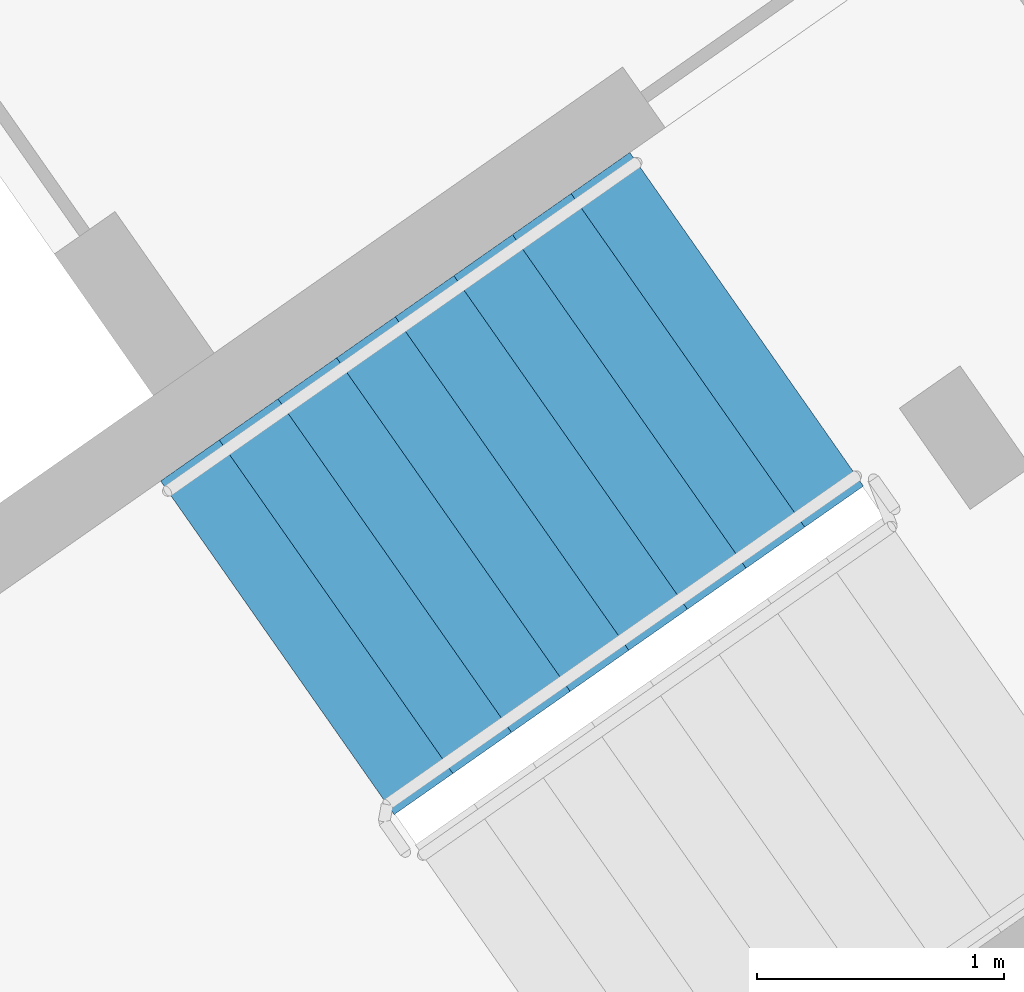
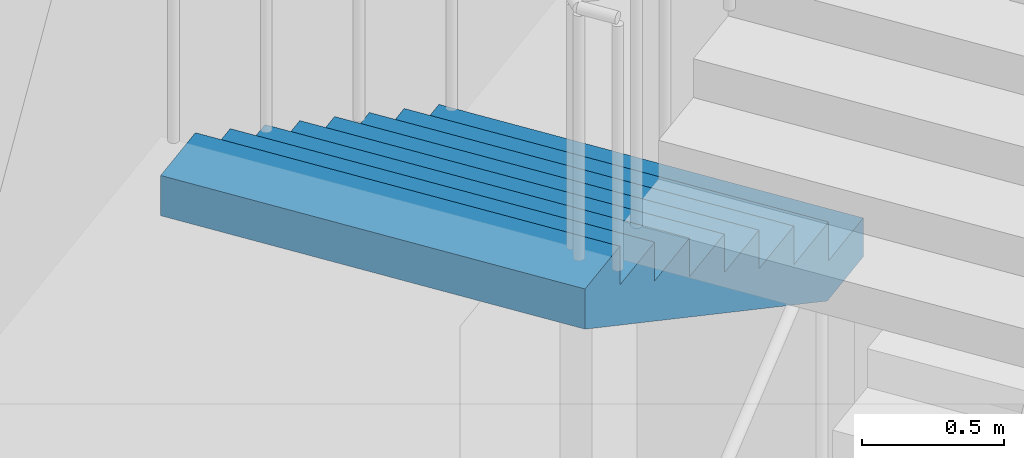
# One storey, part 15 of 41: 1 stair flight, 1 element without a shape of its own.
"""IFC4 building model written with IfcOpenShell, lengths in metres."""

from ifc_helpers import new_model, si_unit, direction, frame, origin, place, context, subcontext, project, spatial, faceted_brep, material, type_object, element, aggregate, save


model = new_model("IFC4")

# Units and contexts
model_context = context("Model", 3, precision=1e-05, world=origin(), true_north=direction((0.0, 1.0)))
body_context = subcontext(model_context, "Body", "Model", "MODEL_VIEW")
ifc_project = project(units=[si_unit("LENGTHUNIT", "METRE"), si_unit("AREAUNIT", "SQUARE_METRE"), si_unit("VOLUMEUNIT", "CUBIC_METRE"), si_unit("PLANEANGLEUNIT", "RADIAN"), si_unit("MASSUNIT", "GRAM", prefix="KILO")], contexts=[model_context])

# Site, building, storey
site_placement = place(None, origin())
site = spatial("IfcSite", under=ifc_project, at=site_placement, CompositionType="ELEMENT")
building_placement = place(site_placement, origin())
building = spatial("IfcBuilding", under=site, at=building_placement, Name="Qamariyya Broadcast Tower", CompositionType="ELEMENT")
storey_placement = place(building_placement, frame((0.0, 0.0, 284.699951171875)))
storey = spatial("IfcBuildingStorey", under=building, at=storey_placement, Name="L69", CompositionType="ELEMENT", Elevation=284.699951171875)

# Stair, stair flight
ifc_material = material(Name="Concrete C50/60", Category="concrete")
stair_type = type_object("IfcStairType", Name="Exit stair 36 risers of 167 mm", PredefinedType="HALF_TURN_STAIR", material=ifc_material)
stair_placement = place(storey_placement, origin())
stair = element("IfcStair", 1, at=stair_placement, inside=storey, type_object=stair_type, Name="L69 Stair E1", PredefinedType="HALF_TURN_STAIR")
stair_flight_type = type_object("IfcStairFlightType", Name="Exit stair flight 9 risers of 167 mm", PredefinedType="STRAIGHT", material=ifc_material)
stair_flight_placement = place(storey_placement, frame((46.036376953125, -55.508056640625, 3.0), z_axis=(0.0, 0.0, 1.0), x_axis=(-0.819152044289, -0.573576436351, 0.0)))
stair_flight = element("IfcStairFlight", 2, at=stair_flight_placement, type_object=stair_flight_type, Name="ST-E1 flight 3", NumberOfRisers=9, NumberOfTreads=8, PredefinedType="STRAIGHT", RiserHeight=0.166666667, TreadLength=0.29, context=body_context, shape_type="Brep", body=[
    faceted_brep([(0.0, 0.824951171875, 0.0), (0.0, 0.824951171875, 0.166748046875), (0.2900390625, 0.824951171875, 0.166748046875), (0.2900390625, 0.824951171875, 0.333251953125), (0.580078125, 0.824951171875, 0.333251953125), (0.580078125, 0.824951171875, 0.5), (0.8701171875, 0.824951171875, 0.5), (0.8701171875, 0.824951171875, 0.666748046875), (1.159912109375, 0.824951171875, 0.666748046875), (1.159912109375, 0.824951171875, 0.833251953125), (1.449951171875, 0.824951171875, 0.833251953125), (1.449951171875, 0.824951171875, 1.0), (1.739990234375, 0.824951171875, 1.0), (1.739990234375, 0.824951171875, 1.166748046875), (2.030029296875, 0.824951171875, 1.166748046875), (2.030029296875, 0.824951171875, 1.333251953125), (2.320068359375, 0.824951171875, 1.333251953125), (2.320068359375, 0.824951171875, 1.160400390625), (0.30078125, 0.824951171875, 0.0), (0.30078125, -0.824951171875, 0.0), (2.320068359375, -0.824951171875, 1.160400390625), (2.320068359375, -0.824951171875, 1.333251953125), (2.030029296875, -0.824951171875, 1.333251953125), (2.030029296875, -0.824951171875, 1.166748046875), (1.739990234375, -0.824951171875, 1.166748046875), (1.739990234375, -0.824951171875, 1.0), (1.449951171875, -0.824951171875, 1.0), (1.449951171875, -0.824951171875, 0.833251953125), (1.159912109375, -0.824951171875, 0.833251953125), (1.159912109375, -0.824951171875, 0.666748046875), (0.8701171875, -0.824951171875, 0.666748046875), (0.8701171875, -0.824951171875, 0.5), (0.580078125, -0.824951171875, 0.5), (0.580078125, -0.824951171875, 0.333251953125), (0.2900390625, -0.824951171875, 0.333251953125), (0.2900390625, -0.824951171875, 0.166748046875), (0.0, -0.824951171875, 0.166748046875), (0.0, -0.824951171875, 0.0), (0.0, 0.10009765625, 0.0), (0.0, 0.086669921875, 0.0), (0.0, 0.0732421875, 0.0), (0.0, 0.06005859375, 0.0), (0.0, 0.046630859375, 0.0), (0.0, 0.033447265625, 0.0), (0.0, 0.02001953125, 0.0), (0.0, 0.006591796875, 0.0), (0.0, -0.006591796875, 0.0), (0.0, -0.02001953125, 0.0), (0.0, -0.033447265625, 0.0), (0.0, -0.046630859375, 0.0), (0.0, -0.06005859375, 0.0), (0.0, -0.0732421875, 0.0), (0.0, -0.086669921875, 0.0), (0.0, -0.10009765625, 0.0), (0.0, -0.10009765625, 0.166748046875), (0.0, -0.086669921875, 0.166748046875), (0.0, -0.0732421875, 0.166748046875), (0.0, -0.06005859375, 0.166748046875), (0.0, -0.046630859375, 0.166748046875), (0.0, -0.033447265625, 0.166748046875), (0.0, -0.02001953125, 0.166748046875), (0.0, -0.006591796875, 0.166748046875), (0.0, 0.006591796875, 0.166748046875), (0.0, 0.02001953125, 0.166748046875), (0.0, 0.033447265625, 0.166748046875), (0.0, 0.046630859375, 0.166748046875), (0.0, 0.06005859375, 0.166748046875), (0.0, 0.0732421875, 0.166748046875), (0.0, 0.086669921875, 0.166748046875), (0.0, 0.10009765625, 0.166748046875), (0.2900390625, -0.10009765625, 0.166748046875), (0.2900390625, -0.086669921875, 0.166748046875), (0.2900390625, -0.0732421875, 0.166748046875), (0.2900390625, -0.06005859375, 0.166748046875), (0.2900390625, -0.046630859375, 0.166748046875), (0.2900390625, -0.033447265625, 0.166748046875), (0.2900390625, -0.02001953125, 0.166748046875), (0.2900390625, -0.006591796875, 0.166748046875), (0.2900390625, 0.006591796875, 0.166748046875), (0.2900390625, 0.02001953125, 0.166748046875), (0.2900390625, 0.033447265625, 0.166748046875), (0.2900390625, 0.046630859375, 0.166748046875), (0.2900390625, 0.06005859375, 0.166748046875), (0.2900390625, 0.0732421875, 0.166748046875), (0.2900390625, 0.086669921875, 0.166748046875), (0.2900390625, 0.10009765625, 0.166748046875), (0.2900390625, -0.10009765625, 0.333251953125), (0.2900390625, -0.086669921875, 0.333251953125), (0.2900390625, -0.0732421875, 0.333251953125), (0.2900390625, -0.06005859375, 0.333251953125), (0.2900390625, -0.046630859375, 0.333251953125), (0.2900390625, -0.033447265625, 0.333251953125), (0.2900390625, -0.02001953125, 0.333251953125), (0.2900390625, -0.006591796875, 0.333251953125), (0.2900390625, 0.006591796875, 0.333251953125), (0.2900390625, 0.02001953125, 0.333251953125), (0.2900390625, 0.033447265625, 0.333251953125), (0.2900390625, 0.046630859375, 0.333251953125), (0.2900390625, 0.06005859375, 0.333251953125), (0.2900390625, 0.0732421875, 0.333251953125), (0.2900390625, 0.086669921875, 0.333251953125), (0.2900390625, 0.10009765625, 0.333251953125), (0.580078125, -0.10009765625, 0.333251953125), (0.580078125, -0.086669921875, 0.333251953125), (0.580078125, -0.0732421875, 0.333251953125), (0.580078125, -0.06005859375, 0.333251953125), (0.580078125, -0.046630859375, 0.333251953125), (0.580078125, -0.033447265625, 0.333251953125), (0.580078125, -0.02001953125, 0.333251953125), (0.580078125, -0.006591796875, 0.333251953125), (0.580078125, 0.006591796875, 0.333251953125), (0.580078125, 0.02001953125, 0.333251953125), (0.580078125, 0.033447265625, 0.333251953125), (0.580078125, 0.046630859375, 0.333251953125), (0.580078125, 0.06005859375, 0.333251953125), (0.580078125, 0.0732421875, 0.333251953125), (0.580078125, 0.086669921875, 0.333251953125), (0.580078125, 0.10009765625, 0.333251953125), (0.580078125, -0.10009765625, 0.5), (0.580078125, -0.086669921875, 0.5), (0.580078125, -0.0732421875, 0.5), (0.580078125, -0.06005859375, 0.5), (0.580078125, -0.046630859375, 0.5), (0.580078125, -0.033447265625, 0.5), (0.580078125, -0.02001953125, 0.5), (0.580078125, -0.006591796875, 0.5), (0.580078125, 0.006591796875, 0.5), (0.580078125, 0.02001953125, 0.5), (0.580078125, 0.033447265625, 0.5), (0.580078125, 0.046630859375, 0.5), (0.580078125, 0.06005859375, 0.5), (0.580078125, 0.0732421875, 0.5), (0.580078125, 0.086669921875, 0.5), (0.580078125, 0.10009765625, 0.5), (0.8701171875, -0.10009765625, 0.5), (0.8701171875, -0.086669921875, 0.5), (0.8701171875, -0.0732421875, 0.5), (0.8701171875, -0.06005859375, 0.5), (0.8701171875, -0.046630859375, 0.5), (0.8701171875, -0.033447265625, 0.5), (0.8701171875, -0.02001953125, 0.5), (0.8701171875, -0.006591796875, 0.5), (0.8701171875, 0.006591796875, 0.5), (0.8701171875, 0.02001953125, 0.5), (0.8701171875, 0.033447265625, 0.5), (0.8701171875, 0.046630859375, 0.5), (0.8701171875, 0.06005859375, 0.5), (0.8701171875, 0.0732421875, 0.5), (0.8701171875, 0.086669921875, 0.5), (0.8701171875, 0.10009765625, 0.5), (0.8701171875, -0.10009765625, 0.666748046875), (0.8701171875, -0.086669921875, 0.666748046875), (0.8701171875, -0.0732421875, 0.666748046875), (0.8701171875, -0.06005859375, 0.666748046875), (0.8701171875, -0.046630859375, 0.666748046875), (0.8701171875, -0.033447265625, 0.666748046875), (0.8701171875, -0.02001953125, 0.666748046875), (0.8701171875, -0.006591796875, 0.666748046875), (0.8701171875, 0.006591796875, 0.666748046875), (0.8701171875, 0.02001953125, 0.666748046875), (0.8701171875, 0.033447265625, 0.666748046875), (0.8701171875, 0.046630859375, 0.666748046875), (0.8701171875, 0.06005859375, 0.666748046875), (0.8701171875, 0.0732421875, 0.666748046875), (0.8701171875, 0.086669921875, 0.666748046875), (0.8701171875, 0.10009765625, 0.666748046875), (1.159912109375, -0.10009765625, 0.666748046875), (1.159912109375, -0.086669921875, 0.666748046875), (1.159912109375, -0.0732421875, 0.666748046875), (1.159912109375, -0.06005859375, 0.666748046875), (1.159912109375, -0.046630859375, 0.666748046875), (1.159912109375, -0.033447265625, 0.666748046875), (1.159912109375, -0.02001953125, 0.666748046875), (1.159912109375, -0.006591796875, 0.666748046875), (1.159912109375, 0.006591796875, 0.666748046875), (1.159912109375, 0.02001953125, 0.666748046875), (1.159912109375, 0.033447265625, 0.666748046875), (1.159912109375, 0.046630859375, 0.666748046875), (1.159912109375, 0.06005859375, 0.666748046875), (1.159912109375, 0.0732421875, 0.666748046875), (1.159912109375, 0.086669921875, 0.666748046875), (1.159912109375, 0.10009765625, 0.666748046875), (1.159912109375, -0.10009765625, 0.833251953125), (1.159912109375, -0.086669921875, 0.833251953125), (1.159912109375, -0.0732421875, 0.833251953125), (1.159912109375, -0.06005859375, 0.833251953125), (1.159912109375, -0.046630859375, 0.833251953125), (1.159912109375, -0.033447265625, 0.833251953125), (1.159912109375, -0.02001953125, 0.833251953125), (1.159912109375, -0.006591796875, 0.833251953125), (1.159912109375, 0.006591796875, 0.833251953125), (1.159912109375, 0.02001953125, 0.833251953125), (1.159912109375, 0.033447265625, 0.833251953125), (1.159912109375, 0.046630859375, 0.833251953125), (1.159912109375, 0.06005859375, 0.833251953125), (1.159912109375, 0.0732421875, 0.833251953125), (1.159912109375, 0.086669921875, 0.833251953125), (1.159912109375, 0.10009765625, 0.833251953125), (1.449951171875, -0.10009765625, 0.833251953125), (1.449951171875, -0.086669921875, 0.833251953125), (1.449951171875, -0.0732421875, 0.833251953125), (1.449951171875, -0.06005859375, 0.833251953125), (1.449951171875, -0.046630859375, 0.833251953125), (1.449951171875, -0.033447265625, 0.833251953125), (1.449951171875, -0.02001953125, 0.833251953125), (1.449951171875, -0.006591796875, 0.833251953125), (1.449951171875, 0.006591796875, 0.833251953125), (1.449951171875, 0.02001953125, 0.833251953125), (1.449951171875, 0.033447265625, 0.833251953125), (1.449951171875, 0.046630859375, 0.833251953125), (1.449951171875, 0.06005859375, 0.833251953125), (1.449951171875, 0.0732421875, 0.833251953125), (1.449951171875, 0.086669921875, 0.833251953125), (1.449951171875, 0.10009765625, 0.833251953125), (1.449951171875, -0.10009765625, 1.0), (1.449951171875, -0.086669921875, 1.0), (1.449951171875, -0.0732421875, 1.0), (1.449951171875, -0.06005859375, 1.0), (1.449951171875, -0.046630859375, 1.0), (1.449951171875, -0.033447265625, 1.0), (1.449951171875, -0.02001953125, 1.0), (1.449951171875, -0.006591796875, 1.0), (1.449951171875, 0.006591796875, 1.0), (1.449951171875, 0.02001953125, 1.0), (1.449951171875, 0.033447265625, 1.0), (1.449951171875, 0.046630859375, 1.0), (1.449951171875, 0.06005859375, 1.0), (1.449951171875, 0.0732421875, 1.0), (1.449951171875, 0.086669921875, 1.0), (1.449951171875, 0.10009765625, 1.0), (1.739990234375, -0.10009765625, 1.0), (1.739990234375, -0.086669921875, 1.0), (1.739990234375, -0.0732421875, 1.0), (1.739990234375, -0.06005859375, 1.0), (1.739990234375, -0.046630859375, 1.0), (1.739990234375, -0.033447265625, 1.0), (1.739990234375, -0.02001953125, 1.0), (1.739990234375, -0.006591796875, 1.0), (1.739990234375, 0.006591796875, 1.0), (1.739990234375, 0.02001953125, 1.0), (1.739990234375, 0.033447265625, 1.0), (1.739990234375, 0.046630859375, 1.0), (1.739990234375, 0.06005859375, 1.0), (1.739990234375, 0.0732421875, 1.0), (1.739990234375, 0.086669921875, 1.0), (1.739990234375, 0.10009765625, 1.0), (1.739990234375, -0.10009765625, 1.166748046875), (1.739990234375, -0.086669921875, 1.166748046875), (1.739990234375, -0.0732421875, 1.166748046875), (1.739990234375, -0.06005859375, 1.166748046875), (1.739990234375, -0.046630859375, 1.166748046875), (1.739990234375, -0.033447265625, 1.166748046875), (1.739990234375, -0.02001953125, 1.166748046875), (1.739990234375, -0.006591796875, 1.166748046875), (1.739990234375, 0.006591796875, 1.166748046875), (1.739990234375, 0.02001953125, 1.166748046875), (1.739990234375, 0.033447265625, 1.166748046875), (1.739990234375, 0.046630859375, 1.166748046875), (1.739990234375, 0.06005859375, 1.166748046875), (1.739990234375, 0.0732421875, 1.166748046875), (1.739990234375, 0.086669921875, 1.166748046875), (1.739990234375, 0.10009765625, 1.166748046875), (2.030029296875, -0.10009765625, 1.166748046875), (2.030029296875, -0.086669921875, 1.166748046875), (2.030029296875, -0.0732421875, 1.166748046875), (2.030029296875, -0.06005859375, 1.166748046875), (2.030029296875, -0.046630859375, 1.166748046875), (2.030029296875, -0.033447265625, 1.166748046875), (2.030029296875, -0.02001953125, 1.166748046875), (2.030029296875, -0.006591796875, 1.166748046875), (2.030029296875, 0.006591796875, 1.166748046875), (2.030029296875, 0.02001953125, 1.166748046875), (2.030029296875, 0.033447265625, 1.166748046875), (2.030029296875, 0.046630859375, 1.166748046875), (2.030029296875, 0.06005859375, 1.166748046875), (2.030029296875, 0.0732421875, 1.166748046875), (2.030029296875, 0.086669921875, 1.166748046875), (2.030029296875, 0.10009765625, 1.166748046875), (2.030029296875, -0.10009765625, 1.333251953125), (2.030029296875, -0.086669921875, 1.333251953125), (2.030029296875, -0.0732421875, 1.333251953125), (2.030029296875, -0.06005859375, 1.333251953125), (2.030029296875, -0.046630859375, 1.333251953125), (2.030029296875, -0.033447265625, 1.333251953125), (2.030029296875, -0.02001953125, 1.333251953125), (2.030029296875, -0.006591796875, 1.333251953125), (2.030029296875, 0.006591796875, 1.333251953125), (2.030029296875, 0.02001953125, 1.333251953125), (2.030029296875, 0.033447265625, 1.333251953125), (2.030029296875, 0.046630859375, 1.333251953125), (2.030029296875, 0.06005859375, 1.333251953125), (2.030029296875, 0.0732421875, 1.333251953125), (2.030029296875, 0.086669921875, 1.333251953125), (2.030029296875, 0.10009765625, 1.333251953125), (2.320068359375, -0.10009765625, 1.333251953125), (2.320068359375, -0.086669921875, 1.333251953125), (2.320068359375, -0.0732421875, 1.333251953125), (2.320068359375, -0.06005859375, 1.333251953125), (2.320068359375, -0.046630859375, 1.333251953125), (2.320068359375, -0.033447265625, 1.333251953125), (2.320068359375, -0.02001953125, 1.333251953125), (2.320068359375, -0.006591796875, 1.333251953125), (2.320068359375, 0.006591796875, 1.333251953125), (2.320068359375, 0.02001953125, 1.333251953125), (2.320068359375, 0.033447265625, 1.333251953125), (2.320068359375, 0.046630859375, 1.333251953125), (2.320068359375, 0.06005859375, 1.333251953125), (2.320068359375, 0.0732421875, 1.333251953125), (2.320068359375, 0.086669921875, 1.333251953125), (2.320068359375, 0.10009765625, 1.333251953125), (2.320068359375, -0.10009765625, 1.160400390625), (2.320068359375, -0.086669921875, 1.160400390625), (2.320068359375, -0.0732421875, 1.160400390625), (2.320068359375, -0.06005859375, 1.160400390625), (2.320068359375, -0.046630859375, 1.160400390625), (2.320068359375, -0.033447265625, 1.160400390625), (2.320068359375, -0.02001953125, 1.160400390625), (2.320068359375, -0.006591796875, 1.160400390625), (2.320068359375, 0.006591796875, 1.160400390625), (2.320068359375, 0.02001953125, 1.160400390625), (2.320068359375, 0.033447265625, 1.160400390625), (2.320068359375, 0.046630859375, 1.160400390625), (2.320068359375, 0.06005859375, 1.160400390625), (2.320068359375, 0.0732421875, 1.160400390625), (2.320068359375, 0.086669921875, 1.160400390625), (2.320068359375, 0.10009765625, 1.160400390625), (0.30078125, -0.10009765625, 0.0), (0.30078125, -0.086669921875, 0.0), (0.30078125, -0.0732421875, 0.0), (0.30078125, -0.06005859375, 0.0), (0.30078125, -0.046630859375, 0.0), (0.30078125, -0.033447265625, 0.0), (0.30078125, -0.02001953125, 0.0), (0.30078125, -0.006591796875, 0.0), (0.30078125, 0.006591796875, 0.0), (0.30078125, 0.02001953125, 0.0), (0.30078125, 0.033447265625, 0.0), (0.30078125, 0.046630859375, 0.0), (0.30078125, 0.06005859375, 0.0), (0.30078125, 0.0732421875, 0.0), (0.30078125, 0.086669921875, 0.0), (0.30078125, 0.10009765625, 0.0)], [[[0, 1, 2, 3, 4, 5, 6, 7, 8, 9, 10, 11, 12, 13, 14, 15, 16, 17, 18]], [[19, 20, 21, 22, 23, 24, 25, 26, 27, 28, 29, 30, 31, 32, 33, 34, 35, 36, 37]], [[0, 38, 39, 40, 41, 42, 43, 44, 45, 46, 47, 48, 49, 50, 51, 52, 53, 37, 36, 54, 55, 56, 57, 58, 59, 60, 61, 62, 63, 64, 65, 66, 67, 68, 69, 1]], [[1, 69, 68, 67, 66, 65, 64, 63, 62, 61, 60, 59, 58, 57, 56, 55, 54, 36, 35, 70, 71, 72, 73, 74, 75, 76, 77, 78, 79, 80, 81, 82, 83, 84, 85, 2]], [[2, 85, 84, 83, 82, 81, 80, 79, 78, 77, 76, 75, 74, 73, 72, 71, 70, 35, 34, 86, 87, 88, 89, 90, 91, 92, 93, 94, 95, 96, 97, 98, 99, 100, 101, 3]], [[3, 101, 100, 99, 98, 97, 96, 95, 94, 93, 92, 91, 90, 89, 88, 87, 86, 34, 33, 102, 103, 104, 105, 106, 107, 108, 109, 110, 111, 112, 113, 114, 115, 116, 117, 4]], [[4, 117, 116, 115, 114, 113, 112, 111, 110, 109, 108, 107, 106, 105, 104, 103, 102, 33, 32, 118, 119, 120, 121, 122, 123, 124, 125, 126, 127, 128, 129, 130, 131, 132, 133, 5]], [[5, 133, 132, 131, 130, 129, 128, 127, 126, 125, 124, 123, 122, 121, 120, 119, 118, 32, 31, 134, 135, 136, 137, 138, 139, 140, 141, 142, 143, 144, 145, 146, 147, 148, 149, 6]], [[6, 149, 148, 147, 146, 145, 144, 143, 142, 141, 140, 139, 138, 137, 136, 135, 134, 31, 30, 150, 151, 152, 153, 154, 155, 156, 157, 158, 159, 160, 161, 162, 163, 164, 165, 7]], [[7, 165, 164, 163, 162, 161, 160, 159, 158, 157, 156, 155, 154, 153, 152, 151, 150, 30, 29, 166, 167, 168, 169, 170, 171, 172, 173, 174, 175, 176, 177, 178, 179, 180, 181, 8]], [[8, 181, 180, 179, 178, 177, 176, 175, 174, 173, 172, 171, 170, 169, 168, 167, 166, 29, 28, 182, 183, 184, 185, 186, 187, 188, 189, 190, 191, 192, 193, 194, 195, 196, 197, 9]], [[9, 197, 196, 195, 194, 193, 192, 191, 190, 189, 188, 187, 186, 185, 184, 183, 182, 28, 27, 198, 199, 200, 201, 202, 203, 204, 205, 206, 207, 208, 209, 210, 211, 212, 213, 10]], [[10, 213, 212, 211, 210, 209, 208, 207, 206, 205, 204, 203, 202, 201, 200, 199, 198, 27, 26, 214, 215, 216, 217, 218, 219, 220, 221, 222, 223, 224, 225, 226, 227, 228, 229, 11]], [[11, 229, 228, 227, 226, 225, 224, 223, 222, 221, 220, 219, 218, 217, 216, 215, 214, 26, 25, 230, 231, 232, 233, 234, 235, 236, 237, 238, 239, 240, 241, 242, 243, 244, 245, 12]], [[12, 245, 244, 243, 242, 241, 240, 239, 238, 237, 236, 235, 234, 233, 232, 231, 230, 25, 24, 246, 247, 248, 249, 250, 251, 252, 253, 254, 255, 256, 257, 258, 259, 260, 261, 13]], [[13, 261, 260, 259, 258, 257, 256, 255, 254, 253, 252, 251, 250, 249, 248, 247, 246, 24, 23, 262, 263, 264, 265, 266, 267, 268, 269, 270, 271, 272, 273, 274, 275, 276, 277, 14]], [[14, 277, 276, 275, 274, 273, 272, 271, 270, 269, 268, 267, 266, 265, 264, 263, 262, 23, 22, 278, 279, 280, 281, 282, 283, 284, 285, 286, 287, 288, 289, 290, 291, 292, 293, 15]], [[15, 293, 292, 291, 290, 289, 288, 287, 286, 285, 284, 283, 282, 281, 280, 279, 278, 22, 21, 294, 295, 296, 297, 298, 299, 300, 301, 302, 303, 304, 305, 306, 307, 308, 309, 16]], [[16, 309, 308, 307, 306, 305, 304, 303, 302, 301, 300, 299, 298, 297, 296, 295, 294, 21, 20, 310, 311, 312, 313, 314, 315, 316, 317, 318, 319, 320, 321, 322, 323, 324, 325, 17]], [[17, 325, 324, 323, 322, 321, 320, 319, 318, 317, 316, 315, 314, 313, 312, 311, 310, 20, 19, 326, 327, 328, 329, 330, 331, 332, 333, 334, 335, 336, 337, 338, 339, 340, 341, 18]], [[18, 341, 340, 339, 338, 337, 336, 335, 334, 333, 332, 331, 330, 329, 328, 327, 326, 19, 37, 53, 52, 51, 50, 49, 48, 47, 46, 45, 44, 43, 42, 41, 40, 39, 38, 0]]]),
])
aggregate(stair, [stair_flight])

save(model, "model.ifc")
